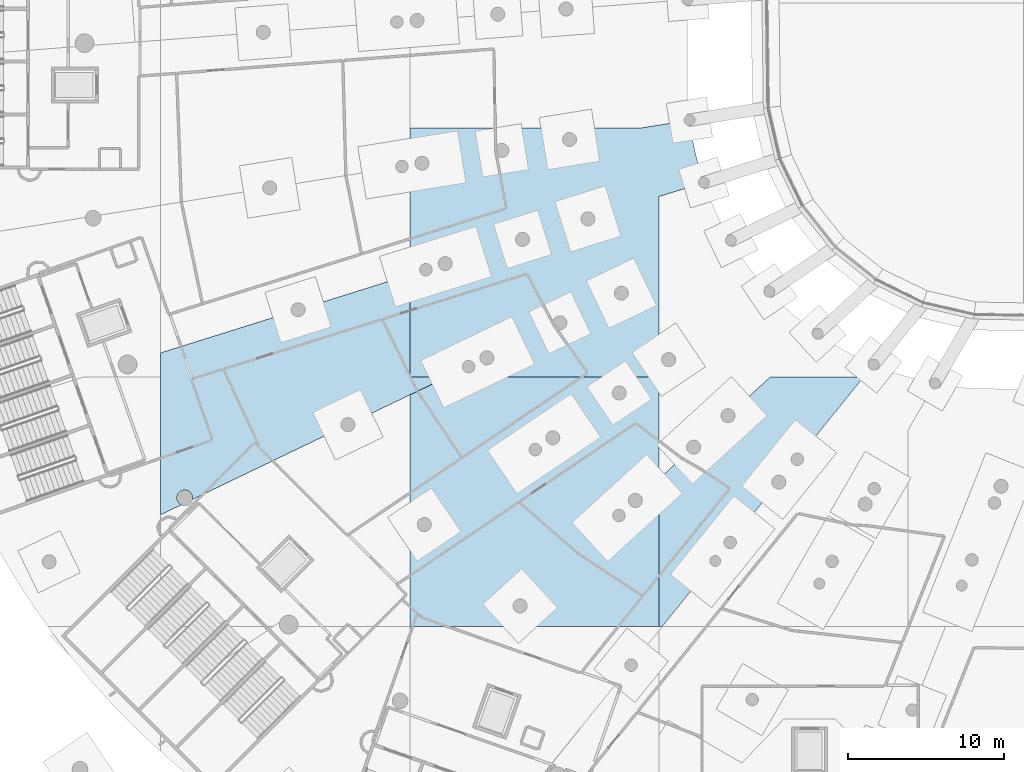
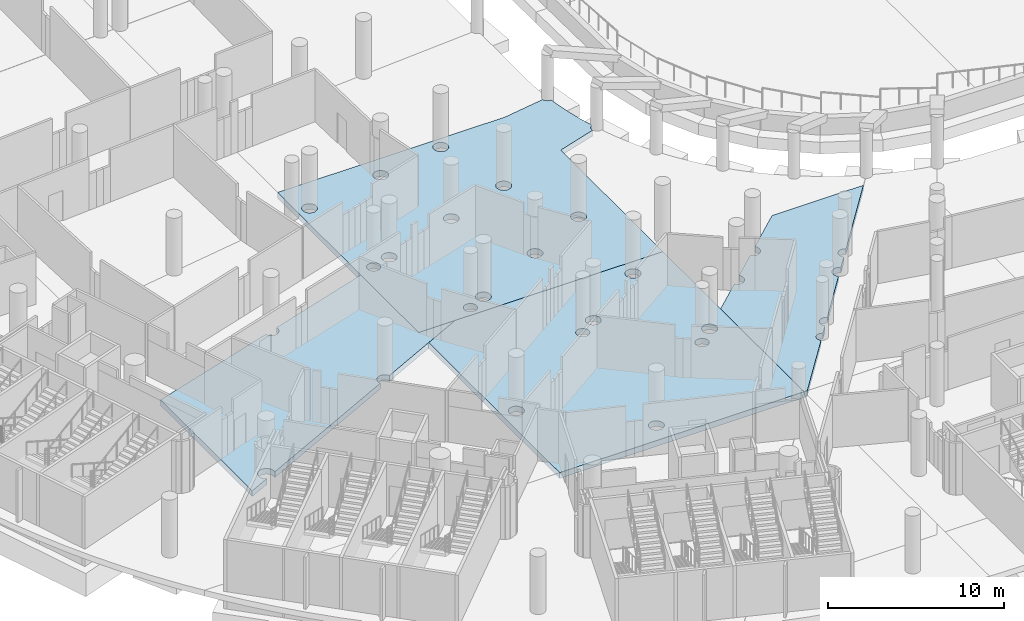
# One storey, part 15 of 142: 4 slabs.
"""IFC4 building model written with IfcOpenShell, lengths in metres."""

from ifc_helpers import new_model, si_unit, direction, frame, origin, place, context, subcontext, project, spatial, polyline, outline, extrude, material, layer, layer_set, type_object, element, save


model = new_model("IFC4")

# Units and contexts
model_context = context("Model", 3, precision=1e-05, world=origin(), true_north=direction((0.0, 1.0)))
body_context = subcontext(model_context, "Body", "Model", "MODEL_VIEW")
ifc_project = project(units=[si_unit("LENGTHUNIT", "METRE"), si_unit("AREAUNIT", "SQUARE_METRE"), si_unit("VOLUMEUNIT", "CUBIC_METRE"), si_unit("PLANEANGLEUNIT", "RADIAN"), si_unit("MASSUNIT", "GRAM", prefix="KILO")], contexts=[model_context])

# Site, building, storey
site_placement = place(None, origin())
site = spatial("IfcSite", under=ifc_project, at=site_placement, CompositionType="ELEMENT")
building_placement = place(site_placement, origin())
building = spatial("IfcBuilding", under=site, at=building_placement, Name="Meseta Stadium", CompositionType="ELEMENT")
storey_placement = place(building_placement, frame((0.0, 0.0, -4.0)))
storey = spatial("IfcBuildingStorey", under=building, at=storey_placement, Name="B1", CompositionType="ELEMENT", Elevation=-4.0)

# Slabs
ifc_material = material(Name="Concrete C30/37", Category="concrete")
ifc_layer = layer(ifc_material, 0.39990234375)
ifc_layer_set = layer_set([ifc_layer], Name="Base slab 400")
slab_type = type_object("IfcSlabType", Name="Base slab 400", PredefinedType="BASESLAB", material=ifc_layer_set)
slab_1_placement = place(storey_placement, frame((0.0, 0.0, -0.39990234375)))
element("IfcSlab", 1, at=slab_1_placement, inside=storey, type_object=slab_type, Name="Base slab B1 sector 35 panel 07", PredefinedType="BASESLAB", context=body_context, shape_type="SweptSolid", body=[
    extrude(outline(polyline([(-78.090087890625, -71.400634765625), (-78.027587890625, -71.476806640625), (-77.981201171875, -71.563720703125), (-77.95263671875, -71.657958984375), (-77.943115234375, -71.756103515625), (-77.95263671875, -71.85400390625), (-77.9541015625, -71.858154296875), (-68.37841796875, -67.253173828125), (-68.39013671875, -67.23095703125), (-68.416015625, -67.14599609375), (-68.424560546875, -67.057861328125), (-68.416015625, -66.969482421875), (-68.39013671875, -66.884765625), (-68.348388671875, -66.806640625), (-68.292236328125, -66.738037109375), (-68.2236328125, -66.681884765625), (-68.1455078125, -66.64013671875), (-68.060546875, -66.614501953125), (-67.972412109375, -66.605712890625), (-67.88427734375, -66.614501953125), (-67.79931640625, -66.64013671875), (-67.72119140625, -66.681884765625), (-67.652587890625, -66.738037109375), (-67.596435546875, -66.806640625), (-67.56640625, -66.862548828125), (-61.614013671875, -64.0), (-64.0, -64.0), (-64.0, -57.42919921875), (-70.740234375, -59.54248046875), (-70.726318359375, -59.589111328125), (-70.717529296875, -59.67724609375), (-70.726318359375, -59.765380859375), (-70.751953125, -59.850341796875), (-70.793701171875, -59.928466796875), (-70.85009765625, -59.9970703125), (-70.91845703125, -60.05322265625), (-70.99658203125, -60.094970703125), (-71.08154296875, -60.120849609375), (-71.169677734375, -60.12939453125), (-71.2578125, -60.120849609375), (-71.3427734375, -60.094970703125), (-71.4208984375, -60.05322265625), (-71.489501953125, -59.9970703125), (-71.545654296875, -59.928466796875), (-71.58740234375, -59.850341796875), (-71.59912109375, -59.81201171875), (-80.0, -62.44580078125), (-80.0, -72.84228515625), (-78.67041015625, -72.20263671875), (-78.724609375, -72.173583984375), (-78.80078125, -72.111083984375), (-78.86328125, -72.03515625), (-78.90966796875, -71.9482421875), (-78.938232421875, -71.85400390625), (-78.94775390625, -71.756103515625), (-78.938232421875, -71.657958984375), (-78.90966796875, -71.563720703125), (-78.86328125, -71.476806640625), (-78.80078125, -71.400634765625), (-78.724609375, -71.338134765625), (-78.6376953125, -71.291748046875), (-78.54345703125, -71.26318359375), (-78.4453125, -71.253662109375), (-78.347412109375, -71.26318359375), (-78.253173828125, -71.291748046875), (-78.166259765625, -71.338134765625), (-78.090087890625, -71.400634765625)])), origin(), (0.0, 0.0, 1.0), 0.39990234375),
])
slab_2_placement = place(storey_placement, frame((0.0, 0.0, -0.39990234375)))
element("IfcSlab", 2, at=slab_2_placement, inside=storey, type_object=slab_type, Name="Base slab B1 sector 35 panel 13", PredefinedType="BASESLAB", context=body_context, shape_type="SweptSolid", body=[
    extrude(outline(polyline([(-48.0, -80.0), (-48.0, -64.0), (-61.614013671875, -64.0), (-64.0, -65.1474609375), (-64.0, -80.0), (-48.0, -80.0)]), holes=[polyline([(-49.26708984375, -71.548583984375), (-49.198486328125, -71.60498046875), (-49.142333984375, -71.67333984375), (-49.1005859375, -71.751708984375), (-49.074951171875, -71.83642578125), (-49.066162109375, -71.924560546875), (-49.074951171875, -72.0126953125), (-49.1005859375, -72.09765625), (-49.142333984375, -72.17578125), (-49.198486328125, -72.244384765625), (-49.26708984375, -72.300537109375), (-49.34521484375, -72.34228515625), (-49.43017578125, -72.3681640625), (-49.518310546875, -72.376708984375), (-49.606689453125, -72.3681640625), (-49.69140625, -72.34228515625), (-49.76953125, -72.300537109375), (-49.838134765625, -72.244384765625), (-49.894287109375, -72.17578125), (-49.93603515625, -72.09765625), (-49.9619140625, -72.0126953125), (-49.970458984375, -71.924560546875), (-49.9619140625, -71.83642578125), (-49.93603515625, -71.751708984375), (-49.894287109375, -71.67333984375), (-49.838134765625, -71.60498046875), (-49.76953125, -71.548583984375), (-49.69140625, -71.5068359375), (-49.606689453125, -71.481201171875), (-49.518310546875, -71.472412109375), (-49.43017578125, -71.481201171875), (-49.34521484375, -71.5068359375), (-49.26708984375, -71.548583984375)]), polyline([(-50.348388671875, -72.5546875), (-50.287353515625, -72.6044921875), (-50.2373046875, -72.66552734375), (-50.2001953125, -72.735107421875), (-50.177490234375, -72.810302734375), (-50.169677734375, -72.888916015625), (-50.177490234375, -72.96728515625), (-50.2001953125, -73.04248046875), (-50.2373046875, -73.112060546875), (-50.287353515625, -73.173095703125), (-50.348388671875, -73.222900390625), (-50.417724609375, -73.260009765625), (-50.4931640625, -73.282958984375), (-50.571533203125, -73.290771484375), (-50.64990234375, -73.282958984375), (-50.725341796875, -73.260009765625), (-50.794921875, -73.222900390625), (-50.855712890625, -73.173095703125), (-50.90576171875, -73.112060546875), (-50.94287109375, -73.04248046875), (-50.9658203125, -72.96728515625), (-50.973388671875, -72.888916015625), (-50.9658203125, -72.810302734375), (-50.94287109375, -72.735107421875), (-50.90576171875, -72.66552734375), (-50.855712890625, -72.6044921875), (-50.794921875, -72.5546875), (-50.725341796875, -72.517333984375), (-50.64990234375, -72.49462890625), (-50.571533203125, -72.48681640625), (-50.4931640625, -72.49462890625), (-50.417724609375, -72.517333984375), (-50.348388671875, -72.5546875)]), polyline([(-56.663818359375, -78.319580078125), (-56.59521484375, -78.3759765625), (-56.5390625, -78.444580078125), (-56.497314453125, -78.522705078125), (-56.471435546875, -78.607421875), (-56.462890625, -78.69580078125), (-56.471435546875, -78.783935546875), (-56.497314453125, -78.868896484375), (-56.5390625, -78.947021484375), (-56.59521484375, -79.015380859375), (-56.663818359375, -79.07177734375), (-56.741943359375, -79.113525390625), (-56.826904296875, -79.13916015625), (-56.9150390625, -79.14794921875), (-57.003173828125, -79.13916015625), (-57.088134765625, -79.113525390625), (-57.166259765625, -79.07177734375), (-57.23486328125, -79.015380859375), (-57.291015625, -78.947021484375), (-57.332763671875, -78.868896484375), (-57.3583984375, -78.783935546875), (-57.3671875, -78.69580078125), (-57.3583984375, -78.607421875), (-57.332763671875, -78.522705078125), (-57.291015625, -78.444580078125), (-57.23486328125, -78.3759765625), (-57.166259765625, -78.319580078125), (-57.088134765625, -78.278076171875), (-57.003173828125, -78.252197265625), (-56.9150390625, -78.243408203125), (-56.826904296875, -78.252197265625), (-56.741943359375, -78.278076171875), (-56.663818359375, -78.319580078125)]), polyline([(-63.156494140625, -73.0263671875), (-63.068115234375, -73.017578125), (-62.97998046875, -73.0263671875), (-62.89501953125, -73.052001953125), (-62.81689453125, -73.093994140625), (-62.748291015625, -73.150146484375), (-62.693603515625, -73.217041015625), (-62.650390625, -73.296875), (-62.624755859375, -73.381591796875), (-62.615966796875, -73.469970703125), (-62.624755859375, -73.55810546875), (-62.650390625, -73.642822265625), (-62.692138671875, -73.72119140625), (-62.748291015625, -73.78955078125), (-62.81689453125, -73.845703125), (-62.89501953125, -73.8876953125), (-62.97998046875, -73.913330078125), (-63.068115234375, -73.922119140625), (-63.156494140625, -73.913330078125), (-63.2412109375, -73.8876953125), (-63.3193359375, -73.845703125), (-63.387939453125, -73.78955078125), (-63.44287109375, -73.72265625), (-63.48583984375, -73.642822265625), (-63.51171875, -73.55810546875), (-63.5205078125, -73.469970703125), (-63.51171875, -73.381591796875), (-63.48583984375, -73.296875), (-63.444091796875, -73.218505859375), (-63.387939453125, -73.150146484375), (-63.3193359375, -73.093994140625), (-63.2412109375, -73.052001953125), (-63.156494140625, -73.0263671875)]), polyline([(-50.464599609375, -64.577880859375), (-50.3798828125, -64.603515625), (-50.3017578125, -64.645263671875), (-50.233154296875, -64.701416015625), (-50.178466796875, -64.768310546875), (-50.13525390625, -64.84814453125), (-50.109375, -64.93310546875), (-50.100830078125, -65.021240234375), (-50.109375, -65.109619140625), (-50.13525390625, -65.1943359375), (-50.177001953125, -65.2724609375), (-50.233154296875, -65.341064453125), (-50.3017578125, -65.397216796875), (-50.3798828125, -65.43896484375), (-50.464599609375, -65.46484375), (-50.552978515625, -65.473388671875), (-50.64111328125, -65.46484375), (-50.72607421875, -65.43896484375), (-50.80419921875, -65.397216796875), (-50.872802734375, -65.341064453125), (-50.927490234375, -65.274169921875), (-50.970703125, -65.1943359375), (-50.996337890625, -65.109619140625), (-51.005126953125, -65.021240234375), (-50.996337890625, -64.93310546875), (-50.970703125, -64.84814453125), (-50.928955078125, -64.77001953125), (-50.872802734375, -64.701416015625), (-50.80419921875, -64.645263671875), (-50.72607421875, -64.603515625), (-50.64111328125, -64.577880859375), (-50.552978515625, -64.569091796875), (-50.464599609375, -64.577880859375)]), polyline([(-54.7314453125, -67.4580078125), (-54.646484375, -67.48388671875), (-54.568359375, -67.525634765625), (-54.5, -67.581787109375), (-54.445068359375, -67.648681640625), (-54.40185546875, -67.728515625), (-54.376220703125, -67.813232421875), (-54.367431640625, -67.901611328125), (-54.376220703125, -67.98974609375), (-54.40185546875, -68.07470703125), (-54.443603515625, -68.15283203125), (-54.5, -68.22119140625), (-54.568359375, -68.277587890625), (-54.646484375, -68.3193359375), (-54.7314453125, -68.344970703125), (-54.819580078125, -68.353759765625), (-54.90771484375, -68.344970703125), (-54.99267578125, -68.3193359375), (-55.07080078125, -68.277587890625), (-55.139404296875, -68.22119140625), (-55.194091796875, -68.154541015625), (-55.2373046875, -68.07470703125), (-55.26318359375, -67.98974609375), (-55.271728515625, -67.901611328125), (-55.26318359375, -67.813232421875), (-55.2373046875, -67.728515625), (-55.195556640625, -67.650390625), (-55.139404296875, -67.581787109375), (-55.07080078125, -67.525634765625), (-54.99267578125, -67.48388671875), (-54.90771484375, -67.4580078125), (-54.819580078125, -67.449462890625), (-54.7314453125, -67.4580078125)]), polyline([(-55.86181640625, -68.263916015625), (-55.78662109375, -68.28662109375), (-55.717041015625, -68.323974609375), (-55.656005859375, -68.373779296875), (-55.607421875, -68.433349609375), (-55.56884765625, -68.50439453125), (-55.546142578125, -68.57958984375), (-55.538330078125, -68.658203125), (-55.546142578125, -68.736572265625), (-55.56884765625, -68.81201171875), (-55.606201171875, -68.88134765625), (-55.656005859375, -68.9423828125), (-55.717041015625, -68.9921875), (-55.78662109375, -69.029296875), (-55.86181640625, -69.05224609375), (-55.940185546875, -69.06005859375), (-56.018798828125, -69.05224609375), (-56.093994140625, -69.029296875), (-56.16357421875, -68.9921875), (-56.224609375, -68.9423828125), (-56.273193359375, -68.8828125), (-56.3115234375, -68.81201171875), (-56.33447265625, -68.736572265625), (-56.34228515625, -68.658203125), (-56.33447265625, -68.57958984375), (-56.3115234375, -68.50439453125), (-56.2744140625, -68.434814453125), (-56.224609375, -68.373779296875), (-56.16357421875, -68.323974609375), (-56.093994140625, -68.28662109375), (-56.018798828125, -68.263916015625), (-55.940185546875, -68.256103515625), (-55.86181640625, -68.263916015625)])]), origin(), (0.0, 0.0, 1.0), 0.39990234375),
])
slab_3_placement = place(storey_placement, frame((0.0, 0.0, -0.39990234375)))
element("IfcSlab", 3, at=slab_3_placement, inside=storey, type_object=slab_type, Name="Base slab B1 sector 35 panel 14", PredefinedType="BASESLAB", context=body_context, shape_type="SweptSolid", body=[
    extrude(outline(polyline([(-45.82666015625, -48.861083984375), (-45.945068359375, -48.185546875), (-45.9912109375, -47.853271484375), (-46.03955078125, -47.85791015625), (-46.108154296875, -47.851318359375), (-46.174072265625, -47.831298828125), (-46.23486328125, -47.798583984375), (-46.2880859375, -47.7548828125), (-46.331787109375, -47.70166015625), (-46.364501953125, -47.640869140625), (-46.384521484375, -47.574951171875), (-46.3857421875, -47.56201171875), (-49.10498046875, -48.0), (-64.0, -48.0), (-64.0, -64.0), (-48.0, -64.0), (-48.0, -52.412841796875), (-45.4541015625, -51.614501953125), (-45.465087890625, -51.57861328125), (-45.4716796875, -51.510009765625), (-45.465087890625, -51.44140625), (-45.445068359375, -51.375244140625), (-45.41259765625, -51.314453125), (-45.368896484375, -51.26123046875), (-45.3154296875, -51.217529296875), (-45.254638671875, -51.18505859375), (-45.227783203125, -51.1767578125), (-45.331298828125, -50.857421875), (-45.519775390625, -50.197998046875), (-45.684814453125, -49.5322265625), (-45.82666015625, -48.861083984375)]), holes=[polyline([(-50.736083984375, -58.294921875), (-50.667724609375, -58.23876953125), (-50.589599609375, -58.197021484375), (-50.504638671875, -58.17138671875), (-50.41650390625, -58.16259765625), (-50.328125, -58.17138671875), (-50.243408203125, -58.197021484375), (-50.165283203125, -58.23876953125), (-50.0966796875, -58.294921875), (-50.04052734375, -58.363525390625), (-49.998779296875, -58.441650390625), (-49.972900390625, -58.526611328125), (-49.96435546875, -58.61474609375), (-49.972900390625, -58.702880859375), (-49.998779296875, -58.787841796875), (-50.04052734375, -58.865966796875), (-50.0966796875, -58.9345703125), (-50.165283203125, -58.99072265625), (-50.243408203125, -59.032470703125), (-50.328125, -59.058349609375), (-50.41650390625, -59.06689453125), (-50.504638671875, -59.058349609375), (-50.589599609375, -59.032470703125), (-50.667724609375, -58.99072265625), (-50.736083984375, -58.9345703125), (-50.79248046875, -58.865966796875), (-50.834228515625, -58.787841796875), (-50.85986328125, -58.702880859375), (-50.86865234375, -58.61474609375), (-50.85986328125, -58.526611328125), (-50.834228515625, -58.441650390625), (-50.79248046875, -58.363525390625), (-50.736083984375, -58.294921875)]), polyline([(-54.68408203125, -60.193603515625), (-54.615478515625, -60.137451171875), (-54.537353515625, -60.095703125), (-54.452392578125, -60.06982421875), (-54.3642578125, -60.061279296875), (-54.276123046875, -60.06982421875), (-54.19140625, -60.095703125), (-54.113037109375, -60.137451171875), (-54.044677734375, -60.193603515625), (-53.98828125, -60.26220703125), (-53.946533203125, -60.34033203125), (-53.9208984375, -60.42529296875), (-53.912109375, -60.513427734375), (-53.9208984375, -60.6015625), (-53.946533203125, -60.686279296875), (-53.98828125, -60.7646484375), (-54.044677734375, -60.8330078125), (-54.113037109375, -60.889404296875), (-54.19140625, -60.93115234375), (-54.276123046875, -60.956787109375), (-54.3642578125, -60.965576171875), (-54.452392578125, -60.956787109375), (-54.537353515625, -60.93115234375), (-54.615478515625, -60.889404296875), (-54.68408203125, -60.8330078125), (-54.740234375, -60.7646484375), (-54.781982421875, -60.686279296875), (-54.807861328125, -60.6015625), (-54.81640625, -60.513427734375), (-54.807861328125, -60.42529296875), (-54.781982421875, -60.34033203125), (-54.740234375, -60.26220703125), (-54.68408203125, -60.193603515625)]), polyline([(-59.36865234375, -62.446533203125), (-59.30029296875, -62.390380859375), (-59.221923828125, -62.3486328125), (-59.13720703125, -62.322998046875), (-59.049072265625, -62.314208984375), (-58.960693359375, -62.322998046875), (-58.8759765625, -62.3486328125), (-58.7978515625, -62.390380859375), (-58.729248046875, -62.446533203125), (-58.673095703125, -62.51513671875), (-58.631103515625, -62.59326171875), (-58.60546875, -62.677978515625), (-58.5966796875, -62.766357421875), (-58.60546875, -62.8544921875), (-58.631103515625, -62.939453125), (-58.673095703125, -63.017578125), (-58.729248046875, -63.086181640625), (-58.7978515625, -63.142333984375), (-58.8759765625, -63.18408203125), (-58.960693359375, -63.209716796875), (-59.049072265625, -63.218505859375), (-59.13720703125, -63.209716796875), (-59.221923828125, -63.18408203125), (-59.30029296875, -63.142333984375), (-59.36865234375, -63.086181640625), (-59.425048828125, -63.017578125), (-59.466796875, -62.939453125), (-59.492431640625, -62.8544921875), (-59.501220703125, -62.766357421875), (-59.492431640625, -62.677978515625), (-59.466796875, -62.59326171875), (-59.425048828125, -62.51513671875), (-59.36865234375, -62.446533203125)]), polyline([(-60.50634765625, -63.04638671875), (-60.4453125, -62.996337890625), (-60.3759765625, -62.959228515625), (-60.300537109375, -62.936279296875), (-60.22216796875, -62.9287109375), (-60.143798828125, -62.936279296875), (-60.068359375, -62.959228515625), (-59.998779296875, -62.996337890625), (-59.93798828125, -63.04638671875), (-59.887939453125, -63.107177734375), (-59.850830078125, -63.1767578125), (-59.827880859375, -63.252197265625), (-59.8203125, -63.33056640625), (-59.827880859375, -63.408935546875), (-59.850830078125, -63.484375), (-59.887939453125, -63.5537109375), (-59.93798828125, -63.61474609375), (-59.998779296875, -63.664794921875), (-60.068359375, -63.701904296875), (-60.143798828125, -63.724853515625), (-60.22216796875, -63.732421875), (-60.300537109375, -63.724853515625), (-60.3759765625, -63.701904296875), (-60.4453125, -63.664794921875), (-60.50634765625, -63.61474609375), (-60.556396484375, -63.5537109375), (-60.593505859375, -63.484375), (-60.6162109375, -63.408935546875), (-60.6240234375, -63.33056640625), (-60.6162109375, -63.252197265625), (-60.593505859375, -63.1767578125), (-60.556396484375, -63.107177734375), (-60.50634765625, -63.04638671875)]), polyline([(-52.938720703125, -53.59228515625), (-52.882568359375, -53.523681640625), (-52.814208984375, -53.46728515625), (-52.73583984375, -53.42578125), (-52.651123046875, -53.39990234375), (-52.562744140625, -53.39111328125), (-52.474609375, -53.39990234375), (-52.389892578125, -53.42578125), (-52.3115234375, -53.46728515625), (-52.2431640625, -53.523681640625), (-52.18701171875, -53.59228515625), (-52.14501953125, -53.67041015625), (-52.119384765625, -53.755126953125), (-52.110595703125, -53.843505859375), (-52.119384765625, -53.931640625), (-52.14501953125, -54.0166015625), (-52.18701171875, -54.094482421875), (-52.2431640625, -54.1630859375), (-52.3115234375, -54.219482421875), (-52.389892578125, -54.26123046875), (-52.474609375, -54.286865234375), (-52.562744140625, -54.295654296875), (-52.651123046875, -54.286865234375), (-52.73583984375, -54.26123046875), (-52.814208984375, -54.219482421875), (-52.882568359375, -54.1630859375), (-52.938720703125, -54.094482421875), (-52.980712890625, -54.0166015625), (-53.00634765625, -53.931640625), (-53.014892578125, -53.843505859375), (-53.00634765625, -53.755126953125), (-52.980712890625, -53.67041015625), (-52.938720703125, -53.59228515625)]), polyline([(-57.13720703125, -54.90869140625), (-57.0810546875, -54.840087890625), (-57.012451171875, -54.78369140625), (-56.934326171875, -54.741943359375), (-56.849609375, -54.71630859375), (-56.76123046875, -54.70751953125), (-56.673095703125, -54.71630859375), (-56.58837890625, -54.741943359375), (-56.510009765625, -54.78369140625), (-56.441650390625, -54.840087890625), (-56.38525390625, -54.90869140625), (-56.343505859375, -54.98681640625), (-56.31787109375, -55.071533203125), (-56.30908203125, -55.159912109375), (-56.31787109375, -55.248046875), (-56.343505859375, -55.332763671875), (-56.38525390625, -55.410888671875), (-56.441650390625, -55.4794921875), (-56.510009765625, -55.53564453125), (-56.58837890625, -55.577392578125), (-56.673095703125, -55.603271484375), (-56.76123046875, -55.612060546875), (-56.849609375, -55.603271484375), (-56.934326171875, -55.577392578125), (-57.012451171875, -55.53564453125), (-57.0810546875, -55.4794921875), (-57.13720703125, -55.410888671875), (-57.17919921875, -55.332763671875), (-57.204833984375, -55.248046875), (-57.21337890625, -55.159912109375), (-57.204833984375, -55.071533203125), (-57.17919921875, -54.98681640625), (-57.13720703125, -54.90869140625)]), polyline([(-62.09912109375, -56.46435546875), (-62.04296875, -56.395751953125), (-61.974365234375, -56.339599609375), (-61.896240234375, -56.297607421875), (-61.811279296875, -56.27197265625), (-61.72314453125, -56.26318359375), (-61.635009765625, -56.27197265625), (-61.550048828125, -56.297607421875), (-61.471923828125, -56.339599609375), (-61.4033203125, -56.395751953125), (-61.34716796875, -56.46435546875), (-61.305419921875, -56.54248046875), (-61.27978515625, -56.627197265625), (-61.27099609375, -56.715576171875), (-61.27978515625, -56.8037109375), (-61.305419921875, -56.888427734375), (-61.34716796875, -56.966796875), (-61.4033203125, -57.03515625), (-61.471923828125, -57.09130859375), (-61.550048828125, -57.13330078125), (-61.635009765625, -57.158935546875), (-61.72314453125, -57.16748046875), (-61.811279296875, -57.158935546875), (-61.896240234375, -57.13330078125), (-61.974365234375, -57.09130859375), (-62.04296875, -57.03515625), (-62.09912109375, -56.966796875), (-62.140869140625, -56.888427734375), (-62.16650390625, -56.8037109375), (-62.17529296875, -56.715576171875), (-62.16650390625, -56.627197265625), (-62.140869140625, -56.54248046875), (-62.09912109375, -56.46435546875)]), polyline([(-63.2978515625, -56.881103515625), (-63.247802734375, -56.8203125), (-63.18701171875, -56.770263671875), (-63.117431640625, -56.733154296875), (-63.0419921875, -56.710205078125), (-62.963623046875, -56.702392578125), (-62.88525390625, -56.710205078125), (-62.809814453125, -56.733154296875), (-62.740234375, -56.770263671875), (-62.679443359375, -56.8203125), (-62.62939453125, -56.881103515625), (-62.59228515625, -56.95068359375), (-62.5693359375, -57.02587890625), (-62.561767578125, -57.1044921875), (-62.5693359375, -57.182861328125), (-62.59228515625, -57.25830078125), (-62.62939453125, -57.32763671875), (-62.679443359375, -57.388671875), (-62.740234375, -57.438720703125), (-62.809814453125, -57.4755859375), (-62.88525390625, -57.49853515625), (-62.963623046875, -57.50634765625), (-63.0419921875, -57.49853515625), (-63.117431640625, -57.4755859375), (-63.18701171875, -57.438720703125), (-63.247802734375, -57.388671875), (-63.2978515625, -57.32763671875), (-63.3349609375, -57.25830078125), (-63.35791015625, -57.182861328125), (-63.365478515625, -57.1044921875), (-63.35791015625, -57.02587890625), (-63.3349609375, -56.95068359375), (-63.2978515625, -56.881103515625)]), polyline([(-63.67041015625, -50.27294921875), (-63.66162109375, -50.184814453125), (-63.635986328125, -50.10009765625), (-63.593994140625, -50.021728515625), (-63.537841796875, -49.953369140625), (-63.469482421875, -49.89697265625), (-63.39111328125, -49.855224609375), (-63.306396484375, -49.82958984375), (-63.21826171875, -49.82080078125), (-63.1298828125, -49.82958984375), (-63.045166015625, -49.855224609375), (-62.966796875, -49.89697265625), (-62.8984375, -49.953369140625), (-62.84228515625, -50.021728515625), (-62.80029296875, -50.10009765625), (-62.774658203125, -50.184814453125), (-62.76611328125, -50.27294921875), (-62.774658203125, -50.361083984375), (-62.80029296875, -50.446044921875), (-62.84228515625, -50.524169921875), (-62.8984375, -50.5927734375), (-62.966796875, -50.64892578125), (-63.045166015625, -50.69091796875), (-63.1298828125, -50.716552734375), (-63.21826171875, -50.72509765625), (-63.306396484375, -50.716552734375), (-63.39111328125, -50.69091796875), (-63.469482421875, -50.64892578125), (-63.537841796875, -50.5927734375), (-63.593994140625, -50.524169921875), (-63.635986328125, -50.446044921875), (-63.66162109375, -50.361083984375), (-63.67041015625, -50.27294921875)]), polyline([(-54.157958984375, -48.573486328125), (-54.1162109375, -48.495361328125), (-54.06005859375, -48.4267578125), (-53.991455078125, -48.37060546875), (-53.913330078125, -48.328857421875), (-53.82861328125, -48.302978515625), (-53.740234375, -48.29443359375), (-53.652099609375, -48.302978515625), (-53.5673828125, -48.328857421875), (-53.489013671875, -48.37060546875), (-53.420654296875, -48.4267578125), (-53.3642578125, -48.495361328125), (-53.322509765625, -48.573486328125), (-53.296875, -48.658203125), (-53.2880859375, -48.74658203125), (-53.296875, -48.834716796875), (-53.322509765625, -48.919677734375), (-53.3642578125, -48.997802734375), (-53.420654296875, -49.06640625), (-53.489013671875, -49.12255859375), (-53.5673828125, -49.164306640625), (-53.652099609375, -49.18994140625), (-53.740234375, -49.19873046875), (-53.82861328125, -49.18994140625), (-53.913330078125, -49.164306640625), (-53.991455078125, -49.12255859375), (-54.06005859375, -49.06640625), (-54.1162109375, -48.997802734375), (-54.157958984375, -48.919677734375), (-54.183837890625, -48.834716796875), (-54.1923828125, -48.74658203125), (-54.183837890625, -48.658203125), (-54.157958984375, -48.573486328125)]), polyline([(-58.502197265625, -49.273193359375), (-58.460205078125, -49.195068359375), (-58.404052734375, -49.12646484375), (-58.33544921875, -49.0703125), (-58.25732421875, -49.0283203125), (-58.172607421875, -49.002685546875), (-58.084228515625, -48.993896484375), (-57.99609375, -49.002685546875), (-57.911376953125, -49.0283203125), (-57.8330078125, -49.0703125), (-57.7646484375, -49.12646484375), (-57.708251953125, -49.195068359375), (-57.66650390625, -49.273193359375), (-57.640869140625, -49.35791015625), (-57.632080078125, -49.4462890625), (-57.640869140625, -49.534423828125), (-57.66650390625, -49.619140625), (-57.708251953125, -49.697509765625), (-57.7646484375, -49.765869140625), (-57.8330078125, -49.822021484375), (-57.911376953125, -49.864013671875), (-57.99609375, -49.8896484375), (-58.084228515625, -49.8984375), (-58.172607421875, -49.8896484375), (-58.25732421875, -49.864013671875), (-58.33544921875, -49.822021484375), (-58.404052734375, -49.765869140625), (-58.460205078125, -49.697509765625), (-58.502197265625, -49.619140625), (-58.52783203125, -49.534423828125), (-58.53662109375, -49.4462890625), (-58.52783203125, -49.35791015625), (-58.502197265625, -49.273193359375)])]), origin(), (0.0, 0.0, 1.0), 0.39990234375),
])
slab_4_placement = place(storey_placement, frame((0.0, 0.0, -0.39990234375)))
element("IfcSlab", 4, at=slab_4_placement, inside=storey, type_object=slab_type, Name="Base slab B1 sector 35 panel 18", PredefinedType="BASESLAB", context=body_context, shape_type="SweptSolid", body=[
    extrude(outline(polyline([(-38.895263671875, -68.9404296875), (-38.875, -68.95703125), (-34.87451171875, -64.0), (-40.861572265625, -64.0), (-43.237060546875, -66.174560546875), (-43.193359375, -66.2275390625), (-43.151611328125, -66.305908203125), (-43.1259765625, -66.390625), (-43.1171875, -66.478759765625), (-43.1259765625, -66.56689453125), (-43.151611328125, -66.65185546875), (-43.193359375, -66.72998046875), (-43.249755859375, -66.798583984375), (-43.318115234375, -66.854736328125), (-43.396484375, -66.896484375), (-43.481201171875, -66.92236328125), (-43.5693359375, -66.930908203125), (-43.65771484375, -66.92236328125), (-43.742431640625, -66.896484375), (-43.820556640625, -66.854736328125), (-43.88916015625, -66.798583984375), (-43.90185546875, -66.783203125), (-45.444580078125, -68.195556640625), (-45.401123046875, -68.24853515625), (-45.359375, -68.326904296875), (-45.33349609375, -68.41162109375), (-45.324951171875, -68.499755859375), (-45.33349609375, -68.587890625), (-45.359375, -68.6728515625), (-45.401123046875, -68.7509765625), (-45.45751953125, -68.819580078125), (-45.52587890625, -68.875732421875), (-45.60400390625, -68.91748046875), (-45.68896484375, -68.943359375), (-45.777099609375, -68.951904296875), (-45.865234375, -68.943359375), (-45.9501953125, -68.91748046875), (-46.0283203125, -68.875732421875), (-46.096923828125, -68.819580078125), (-46.109619140625, -68.80419921875), (-48.0, -70.53466796875), (-48.0, -80.0), (-47.787353515625, -80.0), (-44.61767578125, -76.072509765625), (-44.638671875, -76.05517578125), (-44.6826171875, -76.001708984375), (-44.715087890625, -75.94091796875), (-44.735107421875, -75.875), (-44.74169921875, -75.806396484375), (-44.735107421875, -75.73779296875), (-44.715087890625, -75.671875), (-44.6826171875, -75.611083984375), (-44.638671875, -75.5576171875), (-44.58544921875, -75.513916015625), (-44.524658203125, -75.4814453125), (-44.458740234375, -75.46142578125), (-44.389892578125, -75.45458984375), (-44.3212890625, -75.46142578125), (-44.255615234375, -75.4814453125), (-44.194580078125, -75.513916015625), (-44.177978515625, -75.527587890625), (-43.689453125, -74.92236328125), (-43.714599609375, -74.901611328125), (-43.7646484375, -74.8408203125), (-43.8017578125, -74.771240234375), (-43.82470703125, -74.69580078125), (-43.83251953125, -74.617431640625), (-43.82470703125, -74.5390625), (-43.8017578125, -74.463623046875), (-43.7646484375, -74.39404296875), (-43.714599609375, -74.333251953125), (-43.65380859375, -74.283203125), (-43.584228515625, -74.24609375), (-43.5087890625, -74.22314453125), (-43.430419921875, -74.215576171875), (-43.35205078125, -74.22314453125), (-43.276611328125, -74.24609375), (-43.207275390625, -74.283203125), (-43.18701171875, -74.2998046875), (-40.59814453125, -71.092041015625), (-40.627685546875, -71.06787109375), (-40.683837890625, -70.99951171875), (-40.7255859375, -70.921142578125), (-40.751220703125, -70.83642578125), (-40.760009765625, -70.748291015625), (-40.751220703125, -70.659912109375), (-40.7255859375, -70.5751953125), (-40.683837890625, -70.4970703125), (-40.627685546875, -70.428466796875), (-40.55908203125, -70.372314453125), (-40.48095703125, -70.330322265625), (-40.39599609375, -70.3046875), (-40.307861328125, -70.2958984375), (-40.219482421875, -70.3046875), (-40.134765625, -70.330322265625), (-40.056640625, -70.372314453125), (-40.032958984375, -70.3916015625), (-39.377685546875, -69.57958984375), (-39.40283203125, -69.558837890625), (-39.452880859375, -69.498046875), (-39.489990234375, -69.428466796875), (-39.5126953125, -69.35302734375), (-39.5205078125, -69.274658203125), (-39.5126953125, -69.1962890625), (-39.489990234375, -69.120849609375), (-39.452880859375, -69.051513671875), (-39.40283203125, -68.990478515625), (-39.341796875, -68.9404296875), (-39.2724609375, -68.9033203125), (-39.197021484375, -68.880615234375), (-39.11865234375, -68.872802734375), (-39.040283203125, -68.880615234375), (-38.96484375, -68.9033203125), (-38.895263671875, -68.9404296875)])), origin(), (0.0, 0.0, 1.0), 0.39990234375),
])

save(model, "model.ifc")
